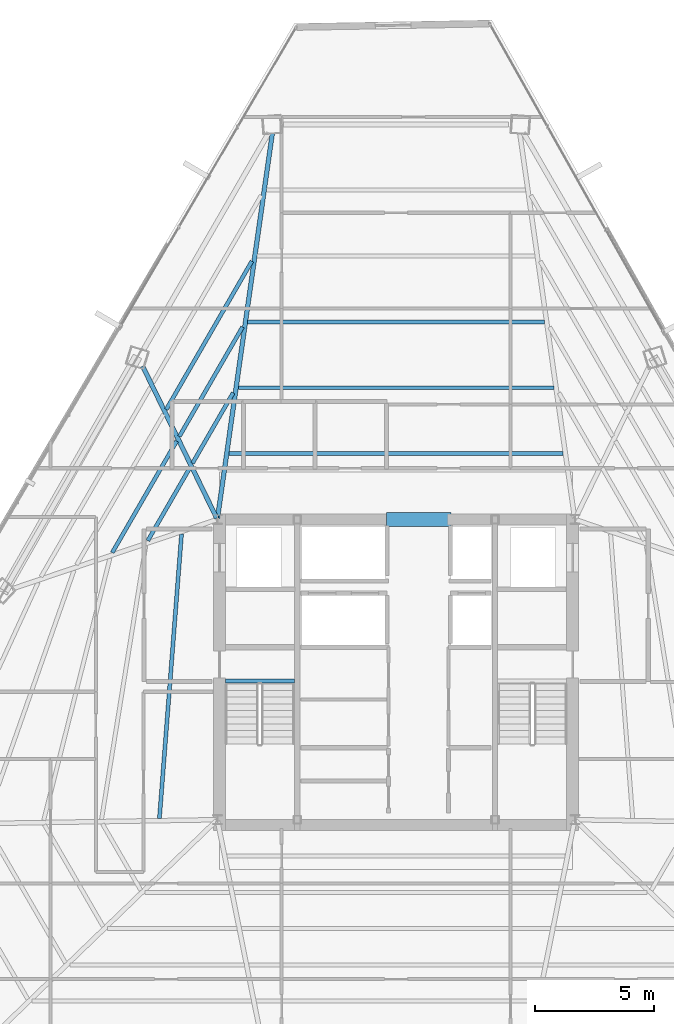
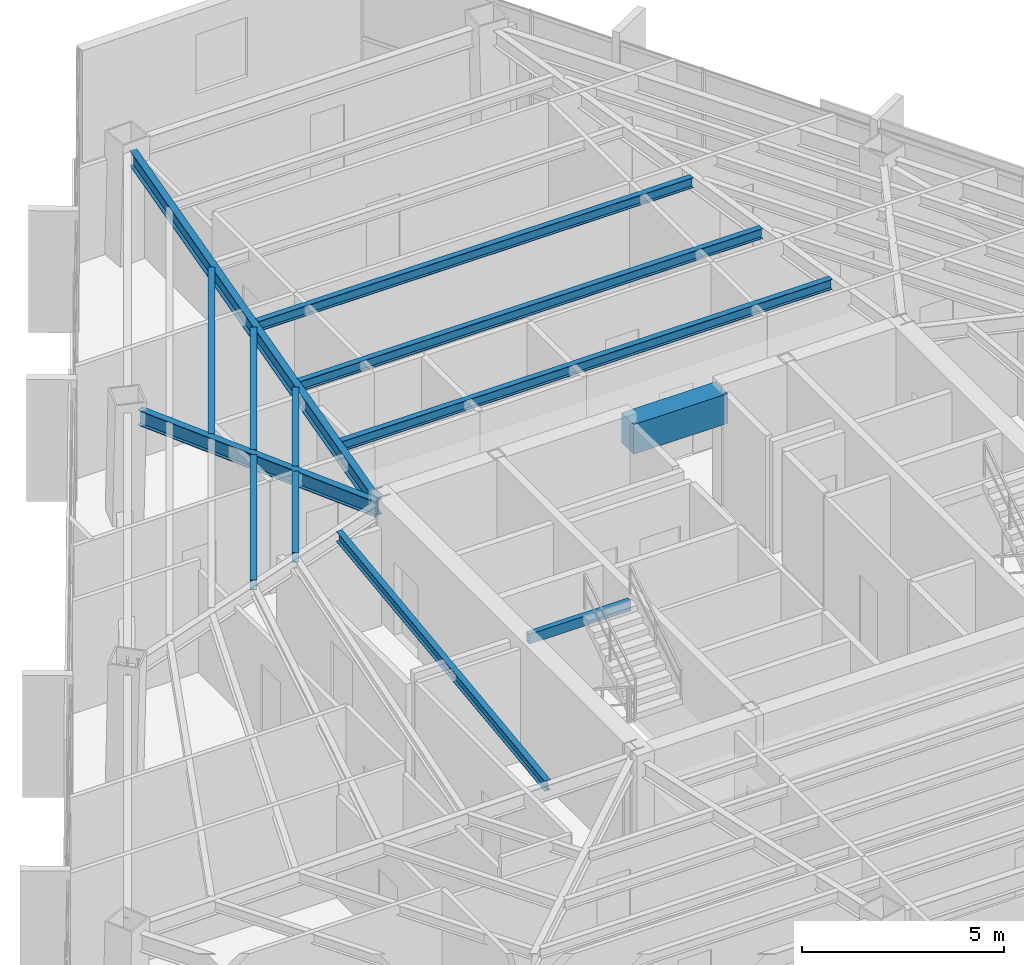
# One storey, part 17 of 44: 13 beams.
"""IFC4 building model written with IfcOpenShell, lengths in metres."""

from ifc_helpers import new_model, si_unit, direction, frame, origin, origin_2d, place, context, subcontext, project, spatial, rectangle, hollow_rectangle, i_section, extrude, source, transform, mapped, material, material_profile, profile_set, type_object, type_shapes, element, save


model = new_model("IFC4")

# Units and contexts
model_context = context("Model", 3, precision=1e-05, world=origin(), true_north=direction((0.0, 1.0)))
body_context = subcontext(model_context, "Body", "Model", "MODEL_VIEW")
ifc_project = project(units=[si_unit("LENGTHUNIT", "METRE"), si_unit("AREAUNIT", "SQUARE_METRE"), si_unit("VOLUMEUNIT", "CUBIC_METRE"), si_unit("PLANEANGLEUNIT", "RADIAN"), si_unit("MASSUNIT", "GRAM", prefix="KILO")], contexts=[model_context])

# Site, building, storey
site_placement = place(None, origin())
site = spatial("IfcSite", under=ifc_project, at=site_placement, CompositionType="ELEMENT")
building_placement = place(site_placement, origin())
building = spatial("IfcBuilding", under=site, at=building_placement, Name="Caelisora Broadcast Tower", CompositionType="ELEMENT")
storey_placement = place(building_placement, frame((0.0, 0.0, 198.64990234375)))
storey = spatial("IfcBuildingStorey", under=building, at=storey_placement, Name="L52", CompositionType="ELEMENT", Elevation=198.64990234375)

# Beams
ifc_material_1 = material(Name="Steel Grade 350 (AS/NZS 1163 C350L0)", Category="steel")
ifc_material_profile_1 = material_profile(ifc_material_1, hollow_rectangle(XDim=0.14990234375, YDim=0.300048828125, WallThickness=0.010009765625, at=origin_2d()), Name="Steel Grade 350 (AS/NZS 1163 C350L0)")
ifc_profile_set_1 = profile_set([ifc_material_profile_1], Name="Steel Grade 350 (AS/NZS 1163 C350L0)")
beam_type_1 = type_object("IfcBeamType", Name="SB05", PredefinedType="JOIST", material=ifc_profile_set_1)
shared_shape_1 = source(origin(), body_context, "Body", "SweptSolid", [
    extrude(hollow_rectangle(XDim=0.14990234375, YDim=0.300048828125, WallThickness=0.010009765625, at=origin_2d()), origin(), (0.0, 0.0, 1.0), 2.89990234375),
])
type_shapes(beam_type_1, [shared_shape_1])
beam_1_placement = place(storey_placement, frame((30.840087890625, 23.219970703125, 3.25), z_axis=(1.0, 0.0, 0.0), x_axis=(0.0, 1.0, 0.0)))
element("IfcBeam", 1, at=beam_1_placement, inside=storey, type_object=beam_type_1, Name="L52 beam SB05", PredefinedType="JOIST", context=body_context, shape_type="MappedRepresentation", body=[
    mapped(shared_shape_1, transform((0.0, 0.0, 0.0), scale=1.0)),
])
ifc_material_2 = material(Name="Concrete 50 MPa (AS 3600 S50)", Category="concrete")
ifc_material_profile_2 = material_profile(ifc_material_2, rectangle(XDim=0.60009765625, YDim=0.89990234375, at=origin_2d()), Name="Concrete 50 MPa (AS 3600 S50)")
ifc_profile_set_2 = profile_set([ifc_material_profile_2], Name="Concrete 50 MPa (AS 3600 S50)")
beam_type_2 = type_object("IfcBeamType", Name="CB02", PredefinedType="LINTEL", material=ifc_profile_set_2)
shared_shape_2 = source(origin(), body_context, "Body", "SweptSolid", [
    extrude(rectangle(XDim=0.60009765625, YDim=0.89990234375, at=origin_2d()), origin(), (0.0, 0.0, 1.0), 2.699951171875),
])
type_shapes(beam_type_2, [shared_shape_2])
beam_2_placement = place(storey_placement, frame((37.60009765625, 30.0, 2.9501953125), z_axis=(1.0, 0.0, 0.0), x_axis=(0.0, 1.0, 0.0)))
element("IfcBeam", 2, at=beam_2_placement, inside=storey, type_object=beam_type_2, Name="L52 beam CB02", PredefinedType="LINTEL", context=body_context, shape_type="MappedRepresentation", body=[
    mapped(shared_shape_2, transform((0.0, 0.0, 0.0), scale=1.0)),
])
ifc_material_3 = material(Name="Steel Grade 350 (AS/NZS 3679.1)", Category="steel")
ifc_material_profile_3 = material_profile(ifc_material_3, i_section(OverallWidth=0.19091796875, OverallDepth=0.46044921875, WebThickness=0.010009765625, FlangeThickness=0.01611328125, at=origin_2d()), Name="Steel Grade 350 (AS/NZS 3679.1)")
ifc_profile_set_3 = profile_set([ifc_material_profile_3], Name="Steel Grade 350 (AS/NZS 3679.1)")
beam_type_3 = type_object("IfcBeamType", Name="PG06", PredefinedType="BEAM", material=ifc_profile_set_3)
shared_shape_3 = source(origin(), body_context, "Body", "SweptSolid", [
    extrude(i_section(OverallWidth=0.19091796875, OverallDepth=0.46044921875, WebThickness=0.010009765625, FlangeThickness=0.01611328125, at=origin_2d()), origin(), (0.0, 0.0, 1.0), 16.31103515625),
])
beam_3_placement = place(storey_placement, frame((30.508544921875, 30.059326171875, 3.169921875), z_axis=(0.141012720131, 0.990007784192, 0.0), x_axis=(-0.990007784192, 0.141012720131, 0.0)))
element("IfcBeam", 3, at=beam_3_placement, inside=storey, type_object=beam_type_3, Name="L52 beam PG06", PredefinedType="BEAM", context=body_context, shape_type="MappedRepresentation", body=[
    mapped(shared_shape_3, transform((0.0, 0.0, 0.0), scale=1.0)),
])
shared_shape_4 = source(origin(), body_context, "Body", "SweptSolid", [
    extrude(i_section(OverallWidth=0.19091796875, OverallDepth=0.46044921875, WebThickness=0.010009765625, FlangeThickness=0.01611328125, at=origin_2d()), origin(), (0.0, 0.0, 1.0), 7.09814453125),
])
type_shapes(beam_type_3, [shared_shape_3, shared_shape_4])
beam_4_placement = place(storey_placement, frame((30.4736328125, 30.053955078125, 3.169921875), z_axis=(-0.438013612886, 0.898968339223, 0.0), x_axis=(-0.898968339223, -0.438013612886, 0.0)))
element("IfcBeam", 4, at=beam_4_placement, inside=storey, type_object=beam_type_3, Name="L52 beam PG06", PredefinedType="BEAM", context=body_context, shape_type="MappedRepresentation", body=[
    mapped(shared_shape_4, transform((0.0, 0.0, 0.0), scale=1.0)),
])
ifc_material_profile_4 = material_profile(ifc_material_3, i_section(OverallWidth=0.166015625, OverallDepth=0.30712890625, WebThickness=0.006591796875, FlangeThickness=0.01171875, at=origin_2d()), Name="Steel Grade 350 (AS/NZS 3679.1)")
ifc_profile_set_4 = profile_set([ifc_material_profile_4], Name="Steel Grade 350 (AS/NZS 3679.1)")
beam_type_4 = type_object("IfcBeamType", Name="SB03", PredefinedType="JOIST", material=ifc_profile_set_4)
shared_shape_5 = source(origin(), body_context, "Body", "SweptSolid", [
    extrude(i_section(OverallWidth=0.166015625, OverallDepth=0.30712890625, WebThickness=0.006591796875, FlangeThickness=0.01171875, at=origin_2d()), origin(), (0.0, 0.0, 1.0), 14.02587890625),
])
beam_5_placement = place(storey_placement, frame((45.012939453125, 32.76318359375, 3.24658203125), z_axis=(-1.0, 0.0, 0.0), x_axis=(0.0, -1.0, 0.0)))
element("IfcBeam", 5, at=beam_5_placement, inside=storey, type_object=beam_type_4, Name="L52 beam SB03", PredefinedType="JOIST", context=body_context, shape_type="MappedRepresentation", body=[
    mapped(shared_shape_5, transform((0.0, 0.0, 0.0), scale=1.0)),
])
shared_shape_6 = source(origin(), body_context, "Body", "SweptSolid", [
    extrude(i_section(OverallWidth=0.166015625, OverallDepth=0.30712890625, WebThickness=0.006591796875, FlangeThickness=0.01171875, at=origin_2d()), origin(), (0.0, 0.0, 1.0), 13.23876953125),
])
beam_6_placement = place(storey_placement, frame((44.619384765625, 35.526611328125, 3.24658203125), z_axis=(-1.0, 0.0, 0.0), x_axis=(0.0, -1.0, 0.0)))
element("IfcBeam", 6, at=beam_6_placement, inside=storey, type_object=beam_type_4, Name="L52 beam SB03", PredefinedType="JOIST", context=body_context, shape_type="MappedRepresentation", body=[
    mapped(shared_shape_6, transform((0.0, 0.0, 0.0), scale=1.0)),
])
shared_shape_7 = source(origin(), body_context, "Body", "SweptSolid", [
    extrude(i_section(OverallWidth=0.166015625, OverallDepth=0.30712890625, WebThickness=0.006591796875, FlangeThickness=0.01171875, at=origin_2d()), origin(), (0.0, 0.0, 1.0), 12.451171875),
])
beam_7_placement = place(storey_placement, frame((44.2255859375, 38.289794921875, 3.24658203125), z_axis=(-1.0, 0.0, 0.0), x_axis=(0.0, -1.0, 0.0)))
element("IfcBeam", 7, at=beam_7_placement, inside=storey, type_object=beam_type_4, Name="L52 beam SB03", PredefinedType="JOIST", context=body_context, shape_type="MappedRepresentation", body=[
    mapped(shared_shape_7, transform((0.0, 0.0, 0.0), scale=1.0)),
])
shared_shape_8 = source(origin(), body_context, "Body", "SweptSolid", [
    extrude(i_section(OverallWidth=0.166015625, OverallDepth=0.30712890625, WebThickness=0.006591796875, FlangeThickness=0.01171875, at=origin_2d()), origin(), (0.0, 0.0, 1.0), 3.4140625),
])
beam_8_placement = place(storey_placement, frame((31.1630859375, 35.3115234375, 3.24658203125), z_axis=(-0.499984494636, -0.866034355626, 0.0), x_axis=(0.866034355626, -0.499984494636, 0.0)))
element("IfcBeam", 8, at=beam_8_placement, inside=storey, type_object=beam_type_4, Name="L52 beam SB03", PredefinedType="JOIST", context=body_context, shape_type="MappedRepresentation", body=[
    mapped(shared_shape_8, transform((0.0, 0.0, 0.0), scale=1.0)),
])
shared_shape_9 = source(origin(), body_context, "Body", "SweptSolid", [
    extrude(i_section(OverallWidth=0.166015625, OverallDepth=0.30712890625, WebThickness=0.006591796875, FlangeThickness=0.01171875, at=origin_2d()), origin(), (0.0, 0.0, 1.0), 5.30126953125),
])
beam_9_placement = place(storey_placement, frame((31.556640625, 38.07470703125, 3.24658203125), z_axis=(-0.499997519625, -0.866026835825, 0.0), x_axis=(0.866026835825, -0.499997519625, 0.0)))
element("IfcBeam", 9, at=beam_9_placement, inside=storey, type_object=beam_type_4, Name="L52 beam SB03", PredefinedType="JOIST", context=body_context, shape_type="MappedRepresentation", body=[
    mapped(shared_shape_9, transform((0.0, 0.0, 0.0), scale=1.0)),
])
shared_shape_10 = source(origin(), body_context, "Body", "SweptSolid", [
    extrude(i_section(OverallWidth=0.166015625, OverallDepth=0.30712890625, WebThickness=0.006591796875, FlangeThickness=0.01171875, at=origin_2d()), origin(), (0.0, 0.0, 1.0), 7.1884765625),
])
beam_10_placement = place(storey_placement, frame((31.9501953125, 40.837890625, 3.24658203125), z_axis=(-0.500003705853, -0.866023264199, 0.0), x_axis=(0.866023264199, -0.500003705853, 0.0)))
element("IfcBeam", 10, at=beam_10_placement, inside=storey, type_object=beam_type_4, Name="L52 beam SB03", PredefinedType="JOIST", context=body_context, shape_type="MappedRepresentation", body=[
    mapped(shared_shape_10, transform((0.0, 0.0, 0.0), scale=1.0)),
])
shared_shape_11 = source(origin(), body_context, "Body", "SweptSolid", [
    extrude(i_section(OverallWidth=0.166015625, OverallDepth=0.30712890625, WebThickness=0.006591796875, FlangeThickness=0.01171875, at=origin_2d()), origin(), (0.0, 0.0, 1.0), 3.5205078125),
])
beam_11_placement = place(storey_placement, frame((29.343994140625, 32.160400390625, 3.24658203125), z_axis=(-0.500054600639, -0.865993877796, 0.0), x_axis=(0.865993877796, -0.500054600639, 0.0)))
element("IfcBeam", 11, at=beam_11_placement, inside=storey, type_object=beam_type_4, Name="L52 beam SB03", PredefinedType="JOIST", context=body_context, shape_type="MappedRepresentation", body=[
    mapped(shared_shape_11, transform((0.0, 0.0, 0.0), scale=1.0)),
])
shared_shape_12 = source(origin(), body_context, "Body", "SweptSolid", [
    extrude(i_section(OverallWidth=0.166015625, OverallDepth=0.30712890625, WebThickness=0.006591796875, FlangeThickness=0.01171875, at=origin_2d()), origin(), (0.0, 0.0, 1.0), 5.407958984375),
])
beam_12_placement = place(storey_placement, frame((28.7939453125, 33.289306640625, 3.24658203125), z_axis=(-0.50002335499, -0.866011919355, 0.0), x_axis=(0.866011919355, -0.50002335499, 0.0)))
element("IfcBeam", 12, at=beam_12_placement, inside=storey, type_object=beam_type_4, Name="L52 beam SB03", PredefinedType="JOIST", context=body_context, shape_type="MappedRepresentation", body=[
    mapped(shared_shape_12, transform((0.0, 0.0, 0.0), scale=1.0)),
])
shared_shape_13 = source(origin(), body_context, "Body", "SweptSolid", [
    extrude(i_section(OverallWidth=0.166015625, OverallDepth=0.30712890625, WebThickness=0.006591796875, FlangeThickness=0.01171875, at=origin_2d()), origin(), (0.0, 0.0, 1.0), 11.977294921875),
])
type_shapes(beam_type_4, [shared_shape_5, shared_shape_6, shared_shape_7, shared_shape_8, shared_shape_9, shared_shape_10, shared_shape_11, shared_shape_12, shared_shape_13])
beam_13_placement = place(storey_placement, frame((28.99853515625, 29.393798828125, 3.24658203125), z_axis=(-0.077539758897, -0.996989260619, 0.0), x_axis=(0.996989260619, -0.077539758897, 0.0)))
element("IfcBeam", 13, at=beam_13_placement, inside=storey, type_object=beam_type_4, Name="L52 beam SB03", PredefinedType="JOIST", context=body_context, shape_type="MappedRepresentation", body=[
    mapped(shared_shape_13, transform((0.0, 0.0, 0.0), scale=1.0)),
])

save(model, "model.ifc")
